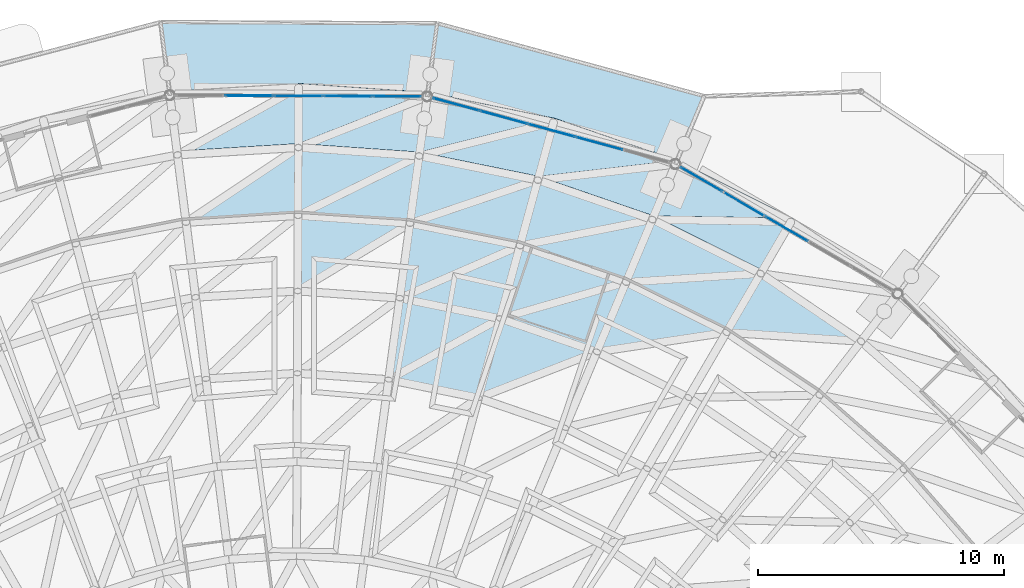
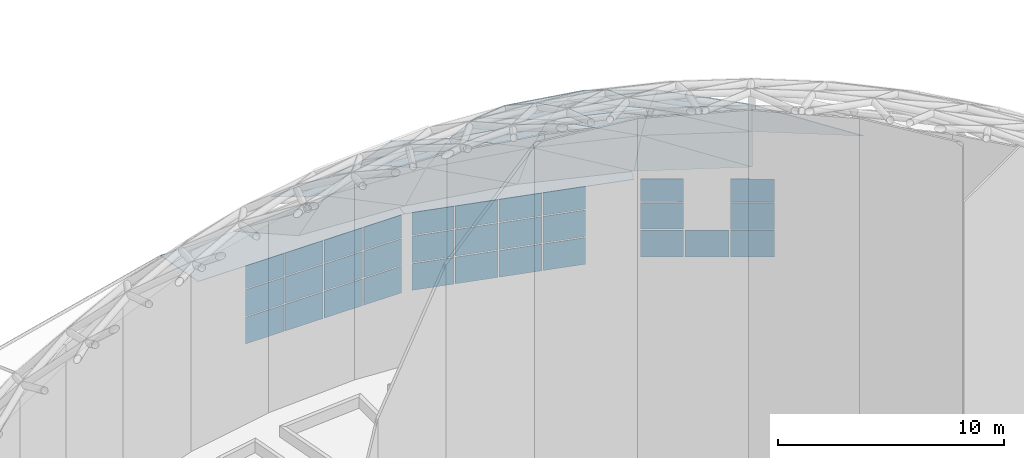
# One storey, part 157 of 226: 61 plates, 3 elements without a shape of their own.
"""IFC4 building model written with IfcOpenShell, lengths in metres."""

from ifc_helpers import new_model, si_unit, direction, frame, origin, origin_2d, place, context, subcontext, project, spatial, polyline, rectangle, outline, extrude, material, layer, layer_set, type_object, element, aggregate, save


model = new_model("IFC4")

# Units and contexts
model_context = context("Model", 3, precision=1e-05, world=origin(), true_north=direction((0.0, 1.0)))
body_context = subcontext(model_context, "Body", "Model", "MODEL_VIEW")
ifc_project = project(units=[si_unit("LENGTHUNIT", "METRE"), si_unit("AREAUNIT", "SQUARE_METRE"), si_unit("VOLUMEUNIT", "CUBIC_METRE"), si_unit("PLANEANGLEUNIT", "RADIAN"), si_unit("MASSUNIT", "GRAM", prefix="KILO")], contexts=[model_context])

# Site, building, storey
site_placement = place(None, origin())
site = spatial("IfcSite", under=ifc_project, at=site_placement, CompositionType="ELEMENT")
building_placement = place(site_placement, origin())
building = spatial("IfcBuilding", under=site, at=building_placement, Name="Ceibo Conservatory and Research Tower", CompositionType="ELEMENT")
storey_placement = place(building_placement, origin())
storey = spatial("IfcBuildingStorey", under=building, at=storey_placement, Name="L00", CompositionType="ELEMENT", Elevation=0.0)

# Plates
ifc_material_1 = material(Name="Laminated glass", Category="glass")
ifc_layer_1 = layer(ifc_material_1, 0.02490234375)
ifc_layer_set_1 = layer_set([ifc_layer_1], Name="Laminated glass")
plate_type_1 = type_object("IfcPlateType", Name="Canopy glass 25", PredefinedType="SHEET", material=ifc_layer_set_1)
plate_1_placement = place(storey_placement, frame((171.565185546875, 145.11865234375, 4.07275390625), z_axis=(-0.012046679541, -0.044187451057, -0.998950622744), x_axis=(-0.964790086487, 0.263021080936, 2.86156e-07)))
element("IfcPlate", 1, at=plate_1_placement, inside=storey, type_object=plate_type_1, Name="Brim canopy plate A-CP05", PredefinedType="SHEET", context=body_context, shape_type="SweptSolid", body=[
    extrude(outline(polyline([(0.0, 0.0), (10.507416356783754, 0.0), (10.866318211382298, 2.7293168693180676), (-0.35903950087202957, 2.7291810844894977), (0.0, 0.0)])), origin(), (0.0, 0.0, 1.0), 0.02490234375),
])
plate_2_placement = place(storey_placement, frame((161.427734375, 147.88232421875, 4.07275390625), z_axis=(-0.00020013878, -0.04579833841, -0.998950685541), x_axis=(-0.999990459392, 0.004368194758, 8.0894e-08)))
element("IfcPlate", 2, at=plate_2_placement, inside=storey, type_object=plate_type_1, Name="Brim canopy plate A-CP06", PredefinedType="SHEET", context=body_context, shape_type="SweptSolid", body=[
    extrude(outline(polyline([(0.0, 0.0), (10.507424465800101, 0.0), (10.866261528690972, 2.729349793094266), (-0.3589433905133363, 2.729311407075708), (0.0, 0.0)])), origin(), (0.0, 0.0, 1.0), 0.02490234375),
])

# Curtain wall, plates
ifc_material_2 = material(Name="Aluminium and glass", Category="aluminium")
curtain_wall_type = type_object("IfcCurtainWallType", Name="Drum curtain wall", PredefinedType="NOTDEFINED", material=ifc_material_2)
curtain_wall_1_placement = place(storey_placement, origin())
curtain_wall_1 = element("IfcCurtainWall", 3, at=curtain_wall_1_placement, inside=storey, type_object=curtain_wall_type, Name="Drum curtain wall A-CW04", PredefinedType="NOTDEFINED")
ifc_layer_2 = layer(ifc_material_1, 0.028076171875)
ifc_layer_set_2 = layer_set([ifc_layer_2], Name="Laminated glass")
plate_type_2 = type_object("IfcPlateType", Name="Drum glass 28", PredefinedType="CURTAIN_PANEL", material=ifc_layer_set_2)
plate_3_placement = place(storey_placement, frame((175.978515625, 142.2578125, 0.06005859375), z_axis=(0.0, 0.0, 1.0), x_axis=(-0.863835508167, 0.503773971965, 0.0)))
plate_3 = element("IfcPlate", 4, at=plate_3_placement, type_object=plate_type_2, Name="A-CW04 panel 3.1", PredefinedType="CURTAIN_PANEL", context=body_context, shape_type="SweptSolid", body=[
    extrude(rectangle(XDim=1.947021484375, YDim=0.028076171875, at=origin_2d()), origin(), (0.0, 0.0, 1.0), 1.43994140625),
])
plate_4_placement = place(storey_placement, frame((175.978515625, 142.2578125, 1.56005859375), z_axis=(0.0, 0.0, 1.0), x_axis=(-0.863835508167, 0.503773971965, 0.0)))
plate_4 = element("IfcPlate", 5, at=plate_4_placement, type_object=plate_type_2, Name="A-CW04 panel 3.2", PredefinedType="CURTAIN_PANEL", context=body_context, shape_type="SweptSolid", body=[
    extrude(rectangle(XDim=1.947021484375, YDim=0.028076171875, at=origin_2d()), origin(), (0.0, 0.0, 1.0), 1.425048828125),
])
plate_5_placement = place(storey_placement, frame((175.978515625, 142.2578125, 3.044921875), z_axis=(0.0, 0.0, 1.0), x_axis=(-0.863835508167, 0.503773971965, 0.0)))
plate_5 = element("IfcPlate", 6, at=plate_5_placement, type_object=plate_type_2, Name="A-CW04 panel 3.3", PredefinedType="CURTAIN_PANEL", context=body_context, shape_type="SweptSolid", body=[
    extrude(rectangle(XDim=1.947021484375, YDim=0.028076171875, at=origin_2d()), origin(), (0.0, 0.0, 1.0), 1.233154296875),
])
plate_6_placement = place(storey_placement, frame((174.24462890625, 143.26904296875, 0.06005859375), z_axis=(0.0, 0.0, 1.0), x_axis=(-0.863835508167, 0.503773971965, 0.0)))
plate_6 = element("IfcPlate", 7, at=plate_6_placement, type_object=plate_type_2, Name="A-CW04 panel 4.1", PredefinedType="CURTAIN_PANEL", context=body_context, shape_type="SweptSolid", body=[
    extrude(rectangle(XDim=1.947021484375, YDim=0.028076171875, at=origin_2d()), origin(), (0.0, 0.0, 1.0), 1.43994140625),
])
plate_7_placement = place(storey_placement, frame((172.52392578125, 144.2724609375, 0.06005859375), z_axis=(0.0, 0.0, 1.0), x_axis=(-0.863835508167, 0.503773971965, 0.0)))
plate_7 = element("IfcPlate", 8, at=plate_7_placement, type_object=plate_type_2, Name="A-CW04 panel 5.1", PredefinedType="CURTAIN_PANEL", context=body_context, shape_type="SweptSolid", body=[
    extrude(rectangle(XDim=1.917236328125, YDim=0.028076171875, at=origin_2d()), origin(), (0.0, 0.0, 1.0), 1.43994140625),
])
plate_8_placement = place(storey_placement, frame((172.52392578125, 144.2724609375, 1.56005859375), z_axis=(0.0, 0.0, 1.0), x_axis=(-0.863835508167, 0.503773971965, 0.0)))
plate_8 = element("IfcPlate", 9, at=plate_8_placement, type_object=plate_type_2, Name="A-CW04 panel 5.2", PredefinedType="CURTAIN_PANEL", context=body_context, shape_type="SweptSolid", body=[
    extrude(rectangle(XDim=1.917236328125, YDim=0.028076171875, at=origin_2d()), origin(), (0.0, 0.0, 1.0), 1.425048828125),
])
plate_9_placement = place(storey_placement, frame((172.52392578125, 144.2724609375, 3.044921875), z_axis=(0.0, 0.0, 1.0), x_axis=(-0.863835508167, 0.503773971965, 0.0)))
plate_9 = element("IfcPlate", 10, at=plate_9_placement, type_object=plate_type_2, Name="A-CW04 panel 5.3", PredefinedType="CURTAIN_PANEL", context=body_context, shape_type="SweptSolid", body=[
    extrude(rectangle(XDim=1.917236328125, YDim=0.028076171875, at=origin_2d()), origin(), (0.0, 0.0, 1.0), 1.233154296875),
])
aggregate(curtain_wall_1, [plate_3, plate_4, plate_5, plate_6, plate_7, plate_8, plate_9])

curtain_wall_2_placement = place(storey_placement, origin())
curtain_wall_2 = element("IfcCurtainWall", 11, at=curtain_wall_2_placement, inside=storey, type_object=curtain_wall_type, Name="Drum curtain wall A-CW05", PredefinedType="NOTDEFINED")
plate_10_placement = place(storey_placement, frame((168.36767578125, 145.7333984375, 0.06005859375), z_axis=(0.0, 0.0, 1.0), x_axis=(-0.964787322837, 0.263031218095, 0.0)))
plate_10 = element("IfcPlate", 12, at=plate_10_placement, type_object=plate_type_2, Name="A-CW05 panel 2.1", PredefinedType="CURTAIN_PANEL", context=body_context, shape_type="SweptSolid", body=[
    extrude(rectangle(XDim=1.947021484375, YDim=0.028076171875, at=origin_2d()), origin(), (0.0, 0.0, 1.0), 1.43994140625),
])
plate_11_placement = place(storey_placement, frame((168.36767578125, 145.7333984375, 1.56005859375), z_axis=(0.0, 0.0, 1.0), x_axis=(-0.964787322837, 0.263031218095, 0.0)))
plate_11 = element("IfcPlate", 13, at=plate_11_placement, type_object=plate_type_2, Name="A-CW05 panel 2.2", PredefinedType="CURTAIN_PANEL", context=body_context, shape_type="SweptSolid", body=[
    extrude(rectangle(XDim=1.947021484375, YDim=0.028076171875, at=origin_2d()), origin(), (0.0, 0.0, 1.0), 1.425048828125),
])
plate_12_placement = place(storey_placement, frame((168.36767578125, 145.7333984375, 3.044921875), z_axis=(0.0, 0.0, 1.0), x_axis=(-0.964787322837, 0.263031218095, 0.0)))
plate_12 = element("IfcPlate", 14, at=plate_12_placement, type_object=plate_type_2, Name="A-CW05 panel 2.3", PredefinedType="CURTAIN_PANEL", context=body_context, shape_type="SweptSolid", body=[
    extrude(rectangle(XDim=1.947021484375, YDim=0.028076171875, at=origin_2d()), origin(), (0.0, 0.0, 1.0), 1.233154296875),
])
plate_13_placement = place(storey_placement, frame((166.43115234375, 146.26123046875, 0.06005859375), z_axis=(0.0, 0.0, 1.0), x_axis=(-0.964787322837, 0.263031218095, 0.0)))
plate_13 = element("IfcPlate", 15, at=plate_13_placement, type_object=plate_type_2, Name="A-CW05 panel 3.1", PredefinedType="CURTAIN_PANEL", context=body_context, shape_type="SweptSolid", body=[
    extrude(rectangle(XDim=1.947021484375, YDim=0.028076171875, at=origin_2d()), origin(), (0.0, 0.0, 1.0), 1.43994140625),
])
plate_14_placement = place(storey_placement, frame((166.43115234375, 146.26123046875, 1.56005859375), z_axis=(0.0, 0.0, 1.0), x_axis=(-0.964787322837, 0.263031218095, 0.0)))
plate_14 = element("IfcPlate", 16, at=plate_14_placement, type_object=plate_type_2, Name="A-CW05 panel 3.2", PredefinedType="CURTAIN_PANEL", context=body_context, shape_type="SweptSolid", body=[
    extrude(rectangle(XDim=1.947021484375, YDim=0.028076171875, at=origin_2d()), origin(), (0.0, 0.0, 1.0), 1.425048828125),
])
plate_15_placement = place(storey_placement, frame((166.43115234375, 146.26123046875, 3.044921875), z_axis=(0.0, 0.0, 1.0), x_axis=(-0.964787322837, 0.263031218095, 0.0)))
plate_15 = element("IfcPlate", 17, at=plate_15_placement, type_object=plate_type_2, Name="A-CW05 panel 3.3", PredefinedType="CURTAIN_PANEL", context=body_context, shape_type="SweptSolid", body=[
    extrude(rectangle(XDim=1.947021484375, YDim=0.028076171875, at=origin_2d()), origin(), (0.0, 0.0, 1.0), 1.233154296875),
])
plate_16_placement = place(storey_placement, frame((164.494873046875, 146.789306640625, 0.06005859375), z_axis=(0.0, 0.0, 1.0), x_axis=(-0.964787322837, 0.263031218095, 0.0)))
plate_16 = element("IfcPlate", 18, at=plate_16_placement, type_object=plate_type_2, Name="A-CW05 panel 4.1", PredefinedType="CURTAIN_PANEL", context=body_context, shape_type="SweptSolid", body=[
    extrude(rectangle(XDim=1.947021484375, YDim=0.028076171875, at=origin_2d()), origin(), (0.0, 0.0, 1.0), 1.43994140625),
])
plate_17_placement = place(storey_placement, frame((164.494873046875, 146.789306640625, 1.56005859375), z_axis=(0.0, 0.0, 1.0), x_axis=(-0.964787322837, 0.263031218095, 0.0)))
plate_17 = element("IfcPlate", 19, at=plate_17_placement, type_object=plate_type_2, Name="A-CW05 panel 4.2", PredefinedType="CURTAIN_PANEL", context=body_context, shape_type="SweptSolid", body=[
    extrude(rectangle(XDim=1.947021484375, YDim=0.028076171875, at=origin_2d()), origin(), (0.0, 0.0, 1.0), 1.425048828125),
])
plate_18_placement = place(storey_placement, frame((164.494873046875, 146.789306640625, 3.044921875), z_axis=(0.0, 0.0, 1.0), x_axis=(-0.964787322837, 0.263031218095, 0.0)))
plate_18 = element("IfcPlate", 20, at=plate_18_placement, type_object=plate_type_2, Name="A-CW05 panel 4.3", PredefinedType="CURTAIN_PANEL", context=body_context, shape_type="SweptSolid", body=[
    extrude(rectangle(XDim=1.947021484375, YDim=0.028076171875, at=origin_2d()), origin(), (0.0, 0.0, 1.0), 1.233154296875),
])
plate_19_placement = place(storey_placement, frame((162.57275390625, 147.313232421875, 0.06005859375), z_axis=(0.0, 0.0, 1.0), x_axis=(-0.964787322837, 0.263031218095, 0.0)))
plate_19 = element("IfcPlate", 21, at=plate_19_placement, type_object=plate_type_2, Name="A-CW05 panel 5.1", PredefinedType="CURTAIN_PANEL", context=body_context, shape_type="SweptSolid", body=[
    extrude(rectangle(XDim=1.917236328125, YDim=0.028076171875, at=origin_2d()), origin(), (0.0, 0.0, 1.0), 1.43994140625),
])
plate_20_placement = place(storey_placement, frame((162.57275390625, 147.313232421875, 1.56005859375), z_axis=(0.0, 0.0, 1.0), x_axis=(-0.964787322837, 0.263031218095, 0.0)))
plate_20 = element("IfcPlate", 22, at=plate_20_placement, type_object=plate_type_2, Name="A-CW05 panel 5.2", PredefinedType="CURTAIN_PANEL", context=body_context, shape_type="SweptSolid", body=[
    extrude(rectangle(XDim=1.917236328125, YDim=0.028076171875, at=origin_2d()), origin(), (0.0, 0.0, 1.0), 1.425048828125),
])
plate_21_placement = place(storey_placement, frame((162.57275390625, 147.313232421875, 3.044921875), z_axis=(0.0, 0.0, 1.0), x_axis=(-0.964787322837, 0.263031218095, 0.0)))
plate_21 = element("IfcPlate", 23, at=plate_21_placement, type_object=plate_type_2, Name="A-CW05 panel 5.3", PredefinedType="CURTAIN_PANEL", context=body_context, shape_type="SweptSolid", body=[
    extrude(rectangle(XDim=1.917236328125, YDim=0.028076171875, at=origin_2d()), origin(), (0.0, 0.0, 1.0), 1.233154296875),
])
aggregate(curtain_wall_2, [plate_10, plate_11, plate_12, plate_13, plate_14, plate_15, plate_16, plate_17, plate_18, plate_19, plate_20, plate_21])

curtain_wall_3_placement = place(storey_placement, origin())
curtain_wall_3 = element("IfcCurtainWall", 24, at=curtain_wall_3_placement, inside=storey, type_object=curtain_wall_type, Name="Drum curtain wall A-CW06", PredefinedType="NOTDEFINED")
plate_22_placement = place(storey_placement, frame((160.17236328125, 147.639892578125, 0.06005859375), z_axis=(0.0, 0.0, 1.0), x_axis=(-0.999990480759, 0.004363300488, 0.0)))
plate_22 = element("IfcPlate", 25, at=plate_22_placement, type_object=plate_type_2, Name="A-CW06 panel 1.1", PredefinedType="CURTAIN_PANEL", context=body_context, shape_type="SweptSolid", body=[
    extrude(rectangle(XDim=1.917236328125, YDim=0.028076171875, at=origin_2d()), origin(), (0.0, 0.0, 1.0), 1.43994140625),
])
plate_23_placement = place(storey_placement, frame((160.17236328125, 147.639892578125, 1.56005859375), z_axis=(0.0, 0.0, 1.0), x_axis=(-0.999990480759, 0.004363300488, 0.0)))
plate_23 = element("IfcPlate", 26, at=plate_23_placement, type_object=plate_type_2, Name="A-CW06 panel 1.2", PredefinedType="CURTAIN_PANEL", context=body_context, shape_type="SweptSolid", body=[
    extrude(rectangle(XDim=1.917236328125, YDim=0.028076171875, at=origin_2d()), origin(), (0.0, 0.0, 1.0), 1.425048828125),
])
plate_24_placement = place(storey_placement, frame((160.17236328125, 147.639892578125, 3.044921875), z_axis=(0.0, 0.0, 1.0), x_axis=(-0.999990480759, 0.004363300488, 0.0)))
plate_24 = element("IfcPlate", 27, at=plate_24_placement, type_object=plate_type_2, Name="A-CW06 panel 1.3", PredefinedType="CURTAIN_PANEL", context=body_context, shape_type="SweptSolid", body=[
    extrude(rectangle(XDim=1.917236328125, YDim=0.028076171875, at=origin_2d()), origin(), (0.0, 0.0, 1.0), 1.233154296875),
])
plate_25_placement = place(storey_placement, frame((158.18017578125, 147.648681640625, 0.06005859375), z_axis=(0.0, 0.0, 1.0), x_axis=(-0.999990480759, 0.004363300488, 0.0)))
plate_25 = element("IfcPlate", 28, at=plate_25_placement, type_object=plate_type_2, Name="A-CW06 panel 2.1", PredefinedType="CURTAIN_PANEL", context=body_context, shape_type="SweptSolid", body=[
    extrude(rectangle(XDim=1.947021484375, YDim=0.028076171875, at=origin_2d()), origin(), (0.0, 0.0, 1.0), 1.43994140625),
])
plate_26_placement = place(storey_placement, frame((158.18017578125, 147.648681640625, 1.56005859375), z_axis=(0.0, 0.0, 1.0), x_axis=(-0.999990480759, 0.004363300488, 0.0)))
plate_26 = element("IfcPlate", 29, at=plate_26_placement, type_object=plate_type_2, Name="A-CW06 panel 2.2", PredefinedType="CURTAIN_PANEL", context=body_context, shape_type="SweptSolid", body=[
    extrude(rectangle(XDim=1.947021484375, YDim=0.028076171875, at=origin_2d()), origin(), (0.0, 0.0, 1.0), 1.425048828125),
])
plate_27_placement = place(storey_placement, frame((158.18017578125, 147.648681640625, 3.044921875), z_axis=(0.0, 0.0, 1.0), x_axis=(-0.999990480759, 0.004363300488, 0.0)))
plate_27 = element("IfcPlate", 30, at=plate_27_placement, type_object=plate_type_2, Name="A-CW06 panel 2.3", PredefinedType="CURTAIN_PANEL", context=body_context, shape_type="SweptSolid", body=[
    extrude(rectangle(XDim=1.947021484375, YDim=0.028076171875, at=origin_2d()), origin(), (0.0, 0.0, 1.0), 1.233154296875),
])
plate_28_placement = place(storey_placement, frame((156.173095703125, 147.657470703125, 0.06005859375), z_axis=(0.0, 0.0, 1.0), x_axis=(-0.999990480759, 0.004363300488, 0.0)))
plate_28 = element("IfcPlate", 31, at=plate_28_placement, type_object=plate_type_2, Name="A-CW06 panel 3.1", PredefinedType="CURTAIN_PANEL", context=body_context, shape_type="SweptSolid", body=[
    extrude(rectangle(XDim=1.947021484375, YDim=0.028076171875, at=origin_2d()), origin(), (0.0, 0.0, 1.0), 1.43994140625),
])
plate_29_placement = place(storey_placement, frame((156.173095703125, 147.657470703125, 1.56005859375), z_axis=(0.0, 0.0, 1.0), x_axis=(-0.999990480759, 0.004363300488, 0.0)))
plate_29 = element("IfcPlate", 32, at=plate_29_placement, type_object=plate_type_2, Name="A-CW06 panel 3.2", PredefinedType="CURTAIN_PANEL", context=body_context, shape_type="SweptSolid", body=[
    extrude(rectangle(XDim=1.947021484375, YDim=0.028076171875, at=origin_2d()), origin(), (0.0, 0.0, 1.0), 1.425048828125),
])
plate_30_placement = place(storey_placement, frame((156.173095703125, 147.657470703125, 3.044921875), z_axis=(0.0, 0.0, 1.0), x_axis=(-0.999990480759, 0.004363300488, 0.0)))
plate_30 = element("IfcPlate", 33, at=plate_30_placement, type_object=plate_type_2, Name="A-CW06 panel 3.3", PredefinedType="CURTAIN_PANEL", context=body_context, shape_type="SweptSolid", body=[
    extrude(rectangle(XDim=1.947021484375, YDim=0.028076171875, at=origin_2d()), origin(), (0.0, 0.0, 1.0), 1.233154296875),
])
plate_31_placement = place(storey_placement, frame((154.166015625, 147.666259765625, 0.06005859375), z_axis=(0.0, 0.0, 1.0), x_axis=(-0.999990480759, 0.004363300488, 0.0)))
plate_31 = element("IfcPlate", 34, at=plate_31_placement, type_object=plate_type_2, Name="A-CW06 panel 4.1", PredefinedType="CURTAIN_PANEL", context=body_context, shape_type="SweptSolid", body=[
    extrude(rectangle(XDim=1.947021484375, YDim=0.028076171875, at=origin_2d()), origin(), (0.0, 0.0, 1.0), 1.43994140625),
])
plate_32_placement = place(storey_placement, frame((154.166015625, 147.666259765625, 1.56005859375), z_axis=(0.0, 0.0, 1.0), x_axis=(-0.999990480759, 0.004363300488, 0.0)))
plate_32 = element("IfcPlate", 35, at=plate_32_placement, type_object=plate_type_2, Name="A-CW06 panel 4.2", PredefinedType="CURTAIN_PANEL", context=body_context, shape_type="SweptSolid", body=[
    extrude(rectangle(XDim=1.947021484375, YDim=0.028076171875, at=origin_2d()), origin(), (0.0, 0.0, 1.0), 1.425048828125),
])
plate_33_placement = place(storey_placement, frame((154.166015625, 147.666259765625, 3.044921875), z_axis=(0.0, 0.0, 1.0), x_axis=(-0.999990480759, 0.004363300488, 0.0)))
plate_33 = element("IfcPlate", 36, at=plate_33_placement, type_object=plate_type_2, Name="A-CW06 panel 4.3", PredefinedType="CURTAIN_PANEL", context=body_context, shape_type="SweptSolid", body=[
    extrude(rectangle(XDim=1.947021484375, YDim=0.028076171875, at=origin_2d()), origin(), (0.0, 0.0, 1.0), 1.233154296875),
])
aggregate(curtain_wall_3, [plate_22, plate_23, plate_24, plate_25, plate_26, plate_27, plate_28, plate_29, plate_30, plate_31, plate_32, plate_33])

# Plates
ifc_layer_3 = layer(ifc_material_1, 0.035888671875)
ifc_layer_set_3 = layer_set([ifc_layer_3], Name="Laminated glass")
plate_type_3 = type_object("IfcPlateType", Name="Gridshell roof glass 36", PredefinedType="SHEET", material=ifc_layer_set_3)
plate_34_placement = place(storey_placement, frame((176.2353515625, 142.69775390625, 4.601806640625), z_axis=(0.370360284257, 0.742802977442, 0.557742769158), x_axis=(-0.894928404909, 0.446209760188, 0.0)))
element("IfcPlate", 37, at=plate_34_placement, inside=storey, type_object=plate_type_3, Name="Glass panel A-P01-015", PredefinedType="SHEET", context=body_context, shape_type="SweptSolid", body=[
    extrude(outline(polyline([(0.0, 0.0), (5.254763054736992, 0.0), (5.0939444908646445, 4.374750473519363), (0.0, 0.0)])), origin(), (0.0, 0.0, -1.0), 0.035888671875),
])
plate_35_placement = place(storey_placement, frame((176.2353515625, 142.69775390625, 4.601806640625), z_axis=(0.370334705795, 0.742846401321, 0.557701918347), x_axis=(-0.841063821774, 0.013307511619, 0.540772186635)))
element("IfcPlate", 38, at=plate_35_placement, inside=storey, type_object=plate_type_3, Name="Glass panel A-P01-016", PredefinedType="SHEET", context=body_context, shape_type="SweptSolid", body=[
    extrude(outline(polyline([(0.0, 0.0), (6.714663966392372, 4.440892098500626e-16), (2.971836881057083, 3.2142073356224734), (0.0, 0.0)])), origin(), (0.0, 0.0, -1.0), 0.035888671875),
])
plate_36_placement = place(storey_placement, frame((171.53271484375, 145.04248046875, 4.601806640625), z_axis=(0.270165608921, 0.784884324718, 0.557644277804), x_axis=(-0.94555259073, 0.325469350574, 0.0)))
element("IfcPlate", 39, at=plate_36_placement, inside=storey, type_object=plate_type_3, Name="Glass panel A-P01-017", PredefinedType="SHEET", context=body_context, shape_type="SweptSolid", body=[
    extrude(outline(polyline([(0.0, 0.0), (5.253830919824738, -2.220446049250313e-16), (5.093756462527101, 4.374401715363801), (0.0, 0.0)])), origin(), (0.0, 0.0, -1.0), 0.035888671875),
])
plate_37_placement = place(storey_placement, frame((171.53271484375, 145.04248046875, 4.601806640625), z_axis=(0.270254920895, 0.784770025573, 0.557761853029), x_axis=(-0.835583231624, -0.096612038574, 0.540801975802)))
element("IfcPlate", 40, at=plate_37_placement, inside=storey, type_object=plate_type_3, Name="Glass panel A-P01-018", PredefinedType="SHEET", context=body_context, shape_type="SweptSolid", body=[
    extrude(outline(polyline([(0.0, 0.0), (6.714294100418478, 0.0), (2.9710832287201656, 3.215115668846396), (0.0, 0.0)])), origin(), (0.0, 0.0, -1.0), 0.035888671875),
])
plate_38_placement = place(storey_placement, frame((166.56494140625, 146.75244140625, 4.601806640625), z_axis=(0.165646457928, 0.813306753153, 0.557757452887), x_axis=(-0.979882943643, 0.199573086255, 0.0)))
element("IfcPlate", 41, at=plate_38_placement, inside=storey, type_object=plate_type_3, Name="Glass panel A-P01-019", PredefinedType="SHEET", context=body_context, shape_type="SweptSolid", body=[
    extrude(outline(polyline([(0.0, 0.0), (5.254135234621774, 1.1102230246251565e-16), (5.093270783912031, 4.374802481067212), (0.0, 0.0)])), origin(), (0.0, 0.0, -1.0), 0.035888671875),
])
plate_39_placement = place(storey_placement, frame((166.56494140625, 146.75244140625, 4.601806640625), z_axis=(0.165554373377, 0.8133972624, 0.557652797874), x_axis=(-0.815852073838, -0.204717527999, 0.540810620591)))
element("IfcPlate", 42, at=plate_39_placement, inside=storey, type_object=plate_type_3, Name="Glass panel A-P01-020", PredefinedType="SHEET", context=body_context, shape_type="SweptSolid", body=[
    extrude(outline(polyline([(0.0, 0.0), (6.714186773288608, 0.0), (2.97084351962559, 3.2148254977767503), (0.0, 0.0)])), origin(), (0.0, 0.0, -1.0), 0.035888671875),
])
plate_40_placement = place(storey_placement, frame((161.41650390625, 147.801025390625, 4.601806640625), z_axis=(0.057895948918, 0.827977641225, 0.557764363088), x_axis=(-0.997564208537, 0.06975421024, 0.0)))
element("IfcPlate", 43, at=plate_40_placement, inside=storey, type_object=plate_type_3, Name="Glass panel A-P01-021", PredefinedType="SHEET", context=body_context, shape_type="SweptSolid", body=[
    extrude(outline(polyline([(0.0, 0.0), (5.253519133306327, 5.551115123125783e-17), (5.093907858799342, 4.374826957068864), (0.0, 0.0)])), origin(), (0.0, 0.0, -1.0), 0.035888671875),
])
plate_41_placement = place(storey_placement, frame((161.41650390625, 147.801025390625, 4.601806640625), z_axis=(0.057903032785, 0.827972302841, 0.557771552271), x_axis=(-0.782122794509, -0.309598605144, 0.540770411545)))
element("IfcPlate", 44, at=plate_41_placement, inside=storey, type_object=plate_type_3, Name="Glass panel A-P01-022", PredefinedType="SHEET", context=body_context, shape_type="SweptSolid", body=[
    extrude(outline(polyline([(0.0, 0.0), (6.714686007419417, 0.0), (2.971369174010535, 3.214924470589305), (0.0, 0.0)])), origin(), (0.0, 0.0, -1.0), 0.035888671875),
])
plate_42_placement = place(storey_placement, frame((156.17578125, 148.16748046875, 4.601806640625), z_axis=(-0.050672325751, 0.8284555689, 0.557757730347), x_axis=(-0.735094368117, -0.408991673655, 0.54070516998)))
element("IfcPlate", 45, at=plate_42_placement, inside=storey, type_object=plate_type_3, Name="Glass panel A-P01-024", PredefinedType="SHEET", context=body_context, shape_type="SweptSolid", body=[
    extrude(outline(polyline([(0.0, 0.0), (6.715496202408012, -4.440892098500626e-16), (2.971544883548719, 3.2147329077703466), (0.0, 0.0)])), origin(), (0.0, 0.0, -1.0), 0.035888671875),
])
plate_43_placement = place(storey_placement, frame((179.09423828125, 137.826416015625, 8.23291015625), z_axis=(0.433180810147, 0.642202144177, 0.632400815728), x_axis=(-0.829031591279, 0.559201770975, 0.0)))
element("IfcPlate", 46, at=plate_43_placement, inside=storey, type_object=plate_type_3, Name="Glass panel A-P02-013", PredefinedType="SHEET", context=body_context, shape_type="SweptSolid", body=[
    extrude(outline(polyline([(0.0, 0.0), (4.934750974704819, 0.0), (4.753120369519789, 4.372613297180889), (0.0, 0.0)])), origin(), (0.0, 0.0, -1.0), 0.035888671875),
])
plate_44_placement = place(storey_placement, frame((175.003173828125, 140.5859375, 8.23291015625), z_axis=(0.345593949411, 0.693219451542, 0.632464713746), x_axis=(-0.894951125474, 0.446164188403, 0.0)))
element("IfcPlate", 47, at=plate_44_placement, inside=storey, type_object=plate_type_3, Name="Glass panel A-P02-015", PredefinedType="SHEET", context=body_context, shape_type="SweptSolid", body=[
    extrude(outline(polyline([(0.0, 0.0), (4.933546735066851, 0.0), (4.753144774618089, 4.372907797213506), (0.0, 0.0)])), origin(), (0.0, 0.0, -1.0), 0.035888671875),
])
plate_45_placement = place(storey_placement, frame((175.003173828125, 140.5859375, 8.23291015625), z_axis=(0.345551701873, 0.693295675736, 0.632404243612), x_axis=(-0.849675539093, -0.05488606116, 0.524441606432)))
element("IfcPlate", 48, at=plate_45_placement, inside=storey, type_object=plate_type_3, Name="Glass panel A-P02-016", PredefinedType="SHEET", context=body_context, shape_type="SweptSolid", body=[
    extrude(outline(polyline([(0.0, 0.0), (6.458692425825054, 8.881784197001252e-16), (3.0937281788018547, 3.0954131677548906), (0.0, 0.0)])), origin(), (0.0, 0.0, -1.0), 0.035888671875),
])
plate_46_placement = place(storey_placement, frame((170.587890625, 142.787109375, 8.23291015625), z_axis=(0.25220366906, 0.732352547598, 0.632497474571), x_axis=(-0.945504877792, 0.325607933059, 0.0)))
element("IfcPlate", 49, at=plate_46_placement, inside=storey, type_object=plate_type_3, Name="Glass panel A-P02-017", PredefinedType="SHEET", context=body_context, shape_type="SweptSolid", body=[
    extrude(outline(polyline([(0.0, 0.0), (4.934429692888738, -1.1102230246251565e-16), (4.752927804793788, 4.373058823436186), (0.0, 0.0)])), origin(), (0.0, 0.0, -1.0), 0.035888671875),
])
plate_47_placement = place(storey_placement, frame((170.587890625, 142.787109375, 8.23291015625), z_axis=(0.252162316105, 0.732408446598, 0.632449234081), x_axis=(-0.835243242845, -0.165302258371, 0.524446268611)))
element("IfcPlate", 50, at=plate_47_placement, inside=storey, type_object=plate_type_3, Name="Glass panel A-P02-018", PredefinedType="SHEET", context=body_context, shape_type="SweptSolid", body=[
    extrude(outline(polyline([(0.0, 0.0), (6.458635009877472, 0.0), (3.0946716643430197, 3.094814172155873), (0.0, 0.0)])), origin(), (0.0, 0.0, -1.0), 0.035888671875),
])
plate_48_placement = place(storey_placement, frame((165.92236328125, 144.393798828125, 8.23291015625), z_axis=(0.154479522799, 0.758984606559, 0.632517544454), x_axis=(-0.979908972521, 0.199445244546, 0.0)))
element("IfcPlate", 51, at=plate_48_placement, inside=storey, type_object=plate_type_3, Name="Glass panel A-P02-019", PredefinedType="SHEET", context=body_context, shape_type="SweptSolid", body=[
    extrude(outline(polyline([(0.0, 0.0), (4.934341059949136, 1.1102230246251565e-16), (4.753535728578331, 4.373151356466386), (0.0, 0.0)])), origin(), (0.0, 0.0, -1.0), 0.035888671875),
])
plate_49_placement = place(storey_placement, frame((165.92236328125, 144.393798828125, 8.23291015625), z_axis=(0.154463540108, 0.759001165089, 0.632501577998), x_axis=(-0.806564454082, -0.272861370918, 0.524404856644)))
element("IfcPlate", 52, at=plate_49_placement, inside=storey, type_object=plate_type_3, Name="Glass panel A-P02-020", PredefinedType="SHEET", context=body_context, shape_type="SweptSolid", body=[
    extrude(outline(polyline([(0.0, 0.0), (6.459145044774464, 0.0), (3.093974096193284, 3.095789188672262), (0.0, 0.0)])), origin(), (0.0, 0.0, -1.0), 0.035888671875),
])
plate_50_placement = place(storey_placement, frame((161.087158203125, 145.3779296875, 8.23291015625), z_axis=(0.054038769313, 0.772716075803, 0.632447371413), x_axis=(-0.997563583311, 0.0697631511, 0.0)))
element("IfcPlate", 53, at=plate_50_placement, inside=storey, type_object=plate_type_3, Name="Glass panel A-P02-021", PredefinedType="SHEET", context=body_context, shape_type="SweptSolid", body=[
    extrude(outline(polyline([(0.0, 0.0), (4.93438550043227, 2.7755575615628914e-17), (4.753215307044493, 4.372827859184301), (0.0, 0.0)])), origin(), (0.0, 0.0, -1.0), 0.035888671875),
])
plate_51_placement = place(storey_placement, frame((161.087158203125, 145.3779296875, 8.23291015625), z_axis=(0.054108575487, 0.772660529781, 0.632509262998), x_axis=(-0.764020281407, -0.375810886491, 0.524441786277)))
element("IfcPlate", 54, at=plate_51_placement, inside=storey, type_object=plate_type_3, Name="Glass panel A-P02-022", PredefinedType="SHEET", context=body_context, shape_type="SweptSolid", body=[
    extrude(outline(polyline([(0.0, 0.0), (6.458690210962314, 4.440892098500626e-16), (3.0947228826932616, 3.0951306327440538), (0.0, 0.0)])), origin(), (0.0, 0.0, -1.0), 0.035888671875),
])
plate_52_placement = place(storey_placement, frame((156.164794921875, 145.72216796875, 8.23291015625), z_axis=(-0.047283155553, 0.773160260098, 0.632445662019), x_axis=(-0.708406377016, -0.472333921068, 0.524462650732)))
element("IfcPlate", 55, at=plate_52_placement, inside=storey, type_object=plate_type_3, Name="Glass panel A-P02-024", PredefinedType="SHEET", context=body_context, shape_type="SweptSolid", body=[
    extrude(outline(polyline([(0.0, 0.0), (6.458433267886678, 2.220446049250313e-16), (3.0941771989901588, 3.0952404730941234), (0.0, 0.0)])), origin(), (0.0, 0.0, -1.0), 0.035888671875),
])
plate_53_placement = place(storey_placement, frame((173.607421875, 138.19189453125, 11.6201171875), z_axis=(0.317788691391, 0.637593518842, 0.701772650047), x_axis=(-0.894992486228, 0.446081214125, 0.0)))
element("IfcPlate", 56, at=plate_53_placement, inside=storey, type_object=plate_type_3, Name="Glass panel A-P03-015", PredefinedType="SHEET", context=body_context, shape_type="SweptSolid", body=[
    extrude(outline(polyline([(0.0, 0.0), (4.572151251091194, 0.0), (4.371207409454124, 4.3725238291334065), (0.0, 0.0)])), origin(), (0.0, 0.0, -1.0), 0.035888671875),
])
plate_54_placement = place(storey_placement, frame((169.515380859375, 140.2314453125, 11.6201171875), z_axis=(0.23192551154, 0.673630407021, 0.701735442908), x_axis=(-0.945528961804, 0.325537989165, 0.0)))
element("IfcPlate", 57, at=plate_54_placement, inside=storey, type_object=plate_type_3, Name="Glass panel A-P03-017", PredefinedType="SHEET", context=body_context, shape_type="SweptSolid", body=[
    extrude(outline(polyline([(0.0, 0.0), (4.5710090954051035, 1.1102230246251565e-16), (4.370604295605408, 4.3722988921511075), (0.0, 0.0)])), origin(), (0.0, 0.0, -1.0), 0.035888671875),
])
plate_55_placement = place(storey_placement, frame((169.515380859375, 140.2314453125, 11.6201171875), z_axis=(0.231964374119, 0.673576823102, 0.701774032378), x_axis=(-0.830024210101, -0.23911868837, 0.503867108987)))
element("IfcPlate", 58, at=plate_55_placement, inside=storey, type_object=plate_type_3, Name="Glass panel A-P03-018", PredefinedType="SHEET", context=body_context, shape_type="SweptSolid", body=[
    extrude(outline(polyline([(0.0, 0.0), (6.182166247446785, -4.440892098500626e-16), (3.234536384486591, 2.949087560799737), (0.0, 0.0)])), origin(), (0.0, 0.0, -1.0), 0.035888671875),
])
plate_56_placement = place(storey_placement, frame((165.193359375, 141.719482421875, 11.6201171875), z_axis=(0.142080610733, 0.698154069287, 0.701707913303), x_axis=(-0.979913855393, 0.19942125265, 0.0)))
element("IfcPlate", 59, at=plate_56_placement, inside=storey, type_object=plate_type_3, Name="Glass panel A-P03-019", PredefinedType="SHEET", context=body_context, shape_type="SweptSolid", body=[
    extrude(outline(polyline([(0.0, 0.0), (4.572557950849264, 0.0), (4.370501352476871, 4.372132491034286), (0.0, 0.0)])), origin(), (0.0, 0.0, -1.0), 0.035888671875),
])
plate_57_placement = place(storey_placement, frame((165.193359375, 141.719482421875, 11.6201171875), z_axis=(0.142104119468, 0.698129251634, 0.701727844141), x_axis=(-0.791742223068, -0.345320929694, 0.503882632888)))
element("IfcPlate", 60, at=plate_57_placement, inside=storey, type_object=plate_type_3, Name="Glass panel A-P03-020", PredefinedType="SHEET", context=body_context, shape_type="SweptSolid", body=[
    extrude(outline(polyline([(0.0, 0.0), (6.181975783773326, 2.220446049250313e-16), (3.2346956245776015, 2.9485426743439005), (0.0, 0.0)])), origin(), (0.0, 0.0, -1.0), 0.035888671875),
])
plate_58_placement = place(storey_placement, frame((160.712646484375, 142.63134765625, 11.6201171875), z_axis=(0.049770125689, 0.710708262709, 0.701724091012), x_axis=(-0.997556957746, 0.06985782743, 0.0)))
element("IfcPlate", 61, at=plate_58_placement, inside=storey, type_object=plate_type_3, Name="Glass panel A-P03-021", PredefinedType="SHEET", context=body_context, shape_type="SweptSolid", body=[
    extrude(outline(polyline([(0.0, 0.0), (4.571226292737238, 0.0), (4.369341781045656, 4.372230273173639), (0.0, 0.0)])), origin(), (0.0, 0.0, -1.0), 0.035888671875),
])
plate_59_placement = place(storey_placement, frame((168.326416015625, 137.3955078125, 14.735107421875), z_axis=(0.209710793197, 0.608957002075, 0.764978923135), x_axis=(-0.945504196739, 0.325609910705, 0.0)))
element("IfcPlate", 62, at=plate_59_placement, inside=storey, type_object=plate_type_3, Name="Glass panel A-P04-017", PredefinedType="SHEET", context=body_context, shape_type="SweptSolid", body=[
    extrude(outline(polyline([(0.0, 0.0), (4.16960900448453, 1.1102230246251565e-16), (3.950562007717788, 4.3717888324906), (0.0, 0.0)])), origin(), (0.0, 0.0, -1.0), 0.035888671875),
])
plate_60_placement = place(storey_placement, frame((164.384033203125, 138.753173828125, 14.735107421875), z_axis=(0.128461358105, 0.631105080791, 0.764986311298), x_axis=(-0.97990602113, 0.199459744694, 0.0)))
element("IfcPlate", 63, at=plate_60_placement, inside=storey, type_object=plate_type_3, Name="Glass panel A-P04-019", PredefinedType="SHEET", context=body_context, shape_type="SweptSolid", body=[
    extrude(outline(polyline([(0.0, 0.0), (4.16897640185404, 1.1102230246251565e-16), (3.9503910068015955, 4.371848400047367), (0.0, 0.0)])), origin(), (0.0, 0.0, -1.0), 0.035888671875),
])
plate_61_placement = place(storey_placement, frame((164.384033203125, 138.753173828125, 14.735107421875), z_axis=(0.128448740221, 0.631118219671, 0.764977590479), x_axis=(-0.770178367886, -0.422462806056, 0.477860292491)))
element("IfcPlate", 64, at=plate_61_placement, inside=storey, type_object=plate_type_3, Name="Glass panel A-P04-020", PredefinedType="SHEET", context=body_context, shape_type="SweptSolid", body=[
    extrude(outline(polyline([(0.0, 0.0), (5.892253180203277, -6.661338147750939e-16), (3.3906602591577535, 2.7683825945216305), (0.0, 0.0)])), origin(), (0.0, 0.0, -1.0), 0.035888671875),
])

save(model, "model.ifc")
